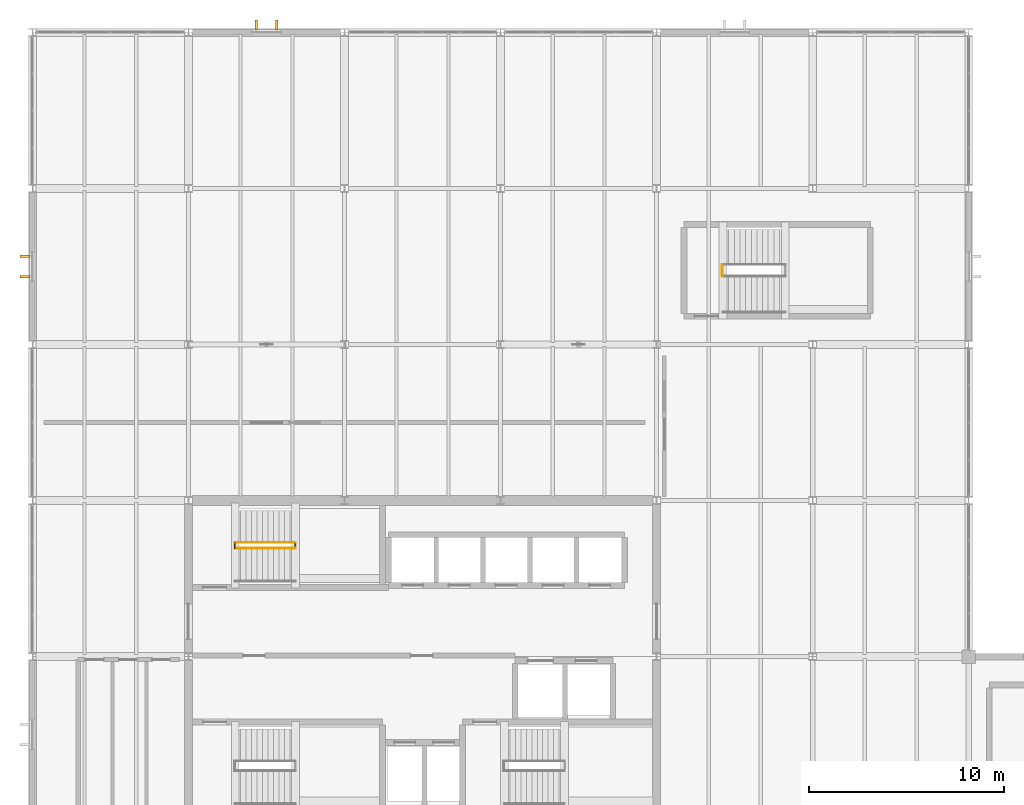
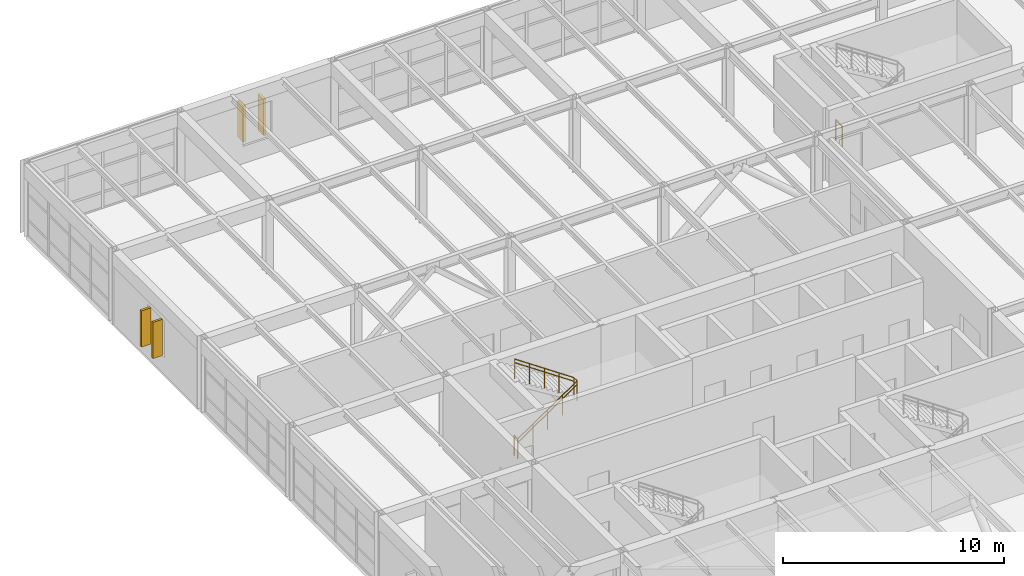
# One storey, part 45 of 48: 6 railings, 4 shading devices.
"""IFC4 building model written with IfcOpenShell, lengths in metres."""

import ifcopenshell
import ifcopenshell.guid

model = None  # the IFC model being written
_history = None  # IfcOwnerHistory: only IFC2X3 demands one
_inside = {}  # id of a spatial element -> (the spatial element, [elements in it])
_under = {}  # id of a project, library or spatial element -> (it, [spatial elements below it])
_declared = {}  # id of a project -> (the project, [libraries it declares])
_typed = {}  # id of a type object -> (the type object, [elements of that type])
_made_of = {}  # id of a material, layer set ... -> (it, [elements and type objects made of it])


def new_model(schema):
    """Start an empty IFC model of exactly this schema.

    Asked for "IFC4X3", IfcOpenShell would pick the latest addendum, in which some entities
    have other attributes; the version numbers below select the first issue.
    IFC2X3 requires an IfcOwnerHistory on every rooted entity: one is made here for all.
    """
    global model, _history
    if schema == "IFC4X3":
        model = ifcopenshell.file(schema_version=(4, 3, 0, 0))
    else:
        model = ifcopenshell.file(schema=schema)
    _inside.clear()
    _under.clear()
    _declared.clear()
    _typed.clear()
    _made_of.clear()
    _history = None
    if model.schema == "IFC2X3":
        org = make("IfcOrganization", Name="unknown")
        user = make(
            "IfcPersonAndOrganization",
            ThePerson=make("IfcPerson", FamilyName="unknown"),
            TheOrganization=org,
        )
        app = make(
            "IfcApplication",
            ApplicationDeveloper=org,
            Version="unknown",
            ApplicationFullName="unknown",
            ApplicationIdentifier="unknown",
        )
        _history = make(
            "IfcOwnerHistory",
            OwningUser=user,
            OwningApplication=app,
            ChangeAction="ADDED",
            CreationDate=0,
        )
    return model


def make(cls, **values):
    """One entity of the class cls with the attributes given. An attribute that is None is left unset."""
    return model.create_entity(
        cls, **{name: value for name, value in values.items() if value is not None}
    )


def rooted(cls, **values):
    """An entity with a GlobalId (a new one), such as an element, a storey or a relation."""
    return make(cls, GlobalId=ifcopenshell.guid.new(), OwnerHistory=_history, **values)


def si_unit(unit_type, name, prefix=None):
    """IfcSIUnit, for example si_unit("LENGTHUNIT", "METRE", prefix="MILLI")."""
    return make("IfcSIUnit", UnitType=unit_type, Prefix=prefix, Name=name)


def assignment(units):
    """IfcUnitAssignment: the units of a project."""
    return None if units is None else make("IfcUnitAssignment", Units=units)


def point(xyz):
    """IfcCartesianPoint."""
    return None if xyz is None else make("IfcCartesianPoint", Coordinates=xyz)


def direction(xyz):
    """IfcDirection."""
    return None if xyz is None else make("IfcDirection", DirectionRatios=xyz)


def frame(location, z_axis=None, x_axis=None):
    """IfcAxis2Placement3D, a coordinate frame: its origin and axes. An axis left out is left unset."""
    return make(
        "IfcAxis2Placement3D",
        Location=point(location),
        Axis=direction(z_axis),
        RefDirection=direction(x_axis),
    )


def frame_2d(location, x_axis=None):
    """IfcAxis2Placement2D, a coordinate frame in the plane: its origin and x axis."""
    return make(
        "IfcAxis2Placement2D", Location=point(location), RefDirection=direction(x_axis)
    )


def origin():
    """The frame at (0, 0, 0) with its axes left unset."""
    return frame((0.0, 0.0, 0.0))


def origin_2d():
    """The frame at (0, 0) in the plane with its x axis left unset."""
    return frame_2d((0.0, 0.0))


def place(relative_to, where):
    """IfcLocalPlacement: puts the frame where relative to a parent placement (None: the world)."""
    return make(
        "IfcLocalPlacement", PlacementRelTo=relative_to, RelativePlacement=where
    )


def context(
    kind, dimensions, precision=None, world=None, true_north=None, identifier=None
):
    """IfcGeometricRepresentationContext, for example the 3D "Model" context."""
    return make(
        "IfcGeometricRepresentationContext",
        ContextIdentifier=identifier,
        ContextType=kind,
        CoordinateSpaceDimension=dimensions,
        Precision=precision,
        WorldCoordinateSystem=world,
        TrueNorth=true_north,
    )


def subcontext(parent, identifier, kind, view, scale=None):
    """IfcGeometricRepresentationSubContext, for example "Body" below "Model"."""
    return make(
        "IfcGeometricRepresentationSubContext",
        ContextIdentifier=identifier,
        ContextType=kind,
        ParentContext=parent,
        TargetScale=scale,
        TargetView=view,
    )


def project(units=None, contexts=None):
    """IfcProject with its units and contexts."""
    return rooted(
        "IfcProject",
        Name="project",
        RepresentationContexts=contexts,
        UnitsInContext=assignment(units),
    )


def spatial(cls, under=None, at=None, **own):
    """A site, building, storey or space (cls), placed at a placement, below another one or the project."""
    s = rooted(cls, ObjectPlacement=at, **own)
    if under is not None:
        _under.setdefault(under.id(), (under, []))[1].append(s)
    return s


def profile(cls, at=None, kind="AREA", **sizes):
    """A parametric profile (cls). Its sizes go by their IFC names, for example OverallWidth=200.0."""
    return make(cls, ProfileType=kind, Position=at, **sizes)


def rectangle(**sizes):
    """IfcRectangleProfileDef."""
    return profile("IfcRectangleProfileDef", **sizes)


def circle(**sizes):
    """IfcCircleProfileDef."""
    return profile("IfcCircleProfileDef", **sizes)


def extrude(swept, where, along, depth):
    """IfcExtrudedAreaSolid: the profile swept, set in the frame where, extruded along a direction by depth."""
    return make(
        "IfcExtrudedAreaSolid",
        SweptArea=swept,
        Position=where,
        ExtrudedDirection=direction(along),
        Depth=depth,
    )


def shape(context_of_items, identifier, shape_type, items):
    """IfcShapeRepresentation: the items that make up one representation, for example the "Body"."""
    return make(
        "IfcShapeRepresentation",
        ContextOfItems=context_of_items,
        RepresentationIdentifier=identifier,
        RepresentationType=shape_type,
        Items=items,
    )


def material(Name=None, Category=None):
    """IfcMaterial."""
    return make("IfcMaterial", Name=Name, Category=Category)


def made_of(thing, what):
    """Note that an element or type object is made of a material, layer set ...; save() writes the relation."""
    if what is not None:
        _made_of.setdefault(what.id(), (what, []))[1].append(thing)
    return thing


def type_object(cls, material=None, **own):
    """A type object (cls), such as IfcWallType, which elements share."""
    return made_of(rooted(cls, **own), material)


def element(
    cls,
    number,
    at=None,
    inside=None,
    cuts=None,
    type_object=None,
    material=None,
    context=None,
    identifier="Body",
    shape_type=None,
    held_by="IfcProductDefinitionShape",
    body=None,
    shapes=None,
    **own,
):
    """One element of the class cls, such as IfcWall. Its Tag is "e" and its number.

    at: its placement. inside: the storey or other place that contains it. cuts: it is an
    opening in that element (IfcRelVoidsElement). A single representation is given by context,
    identifier, shape_type and body (its items); several are given by shapes. held_by: the class
    of the entity that holds the representations. save() writes the other relations.
    """
    e = rooted(cls, Tag="e%d" % number, ObjectPlacement=at, **own)
    if body is not None:
        shapes = [shape(context, identifier, shape_type, body)]
    if shapes is not None:
        e.Representation = make(held_by, Representations=shapes)
    if inside is not None:
        _inside.setdefault(inside.id(), (inside, []))[1].append(e)
    if cuts is not None:
        rooted(
            "IfcRelVoidsElement", RelatingBuildingElement=cuts, RelatedOpeningElement=e
        )
    if type_object is not None:
        _typed.setdefault(type_object.id(), (type_object, []))[1].append(e)
    return made_of(e, material)


def aggregate(whole, parts):
    """IfcRelAggregates: a whole, such as a stair, and the parts it consists of."""
    return rooted("IfcRelAggregates", RelatingObject=whole, RelatedObjects=parts)


def save(model, path):
    """Write the relations noted so far, then the file.

    IfcRelAggregates (storeys below a building ...), IfcRelContainedInSpatialStructure (elements
    in a storey), IfcRelDefinesByType, IfcRelAssociatesMaterial and IfcRelDeclares: one each for
    every whole, place, type object, material and project.
    """
    for whole, parts in _under.values():
        aggregate(whole, parts)
    for where, things in _inside.values():
        rooted(
            "IfcRelContainedInSpatialStructure",
            RelatedElements=things,
            RelatingStructure=where,
        )
    for kind, things in _typed.values():
        rooted("IfcRelDefinesByType", RelatedObjects=things, RelatingType=kind)
    for what, things in _made_of.values():
        rooted("IfcRelAssociatesMaterial", RelatedObjects=things, RelatingMaterial=what)
    for by, libraries in _declared.values():
        rooted("IfcRelDeclares", RelatingContext=by, RelatedDefinitions=libraries)
    model.write(path)


model = new_model("IFC4")

# Units and contexts
model_context = context("Model", 3, precision=1e-05, world=origin(), true_north=direction((0.0, 1.0)))
body_context = subcontext(model_context, "Body", "Model", "MODEL_VIEW")
ifc_project = project(units=[si_unit("LENGTHUNIT", "METRE"), si_unit("AREAUNIT", "SQUARE_METRE"), si_unit("VOLUMEUNIT", "CUBIC_METRE"), si_unit("PLANEANGLEUNIT", "RADIAN"), si_unit("MASSUNIT", "GRAM", prefix="KILO")], contexts=[model_context])

# Site, building, storey
site_placement = place(None, origin())
site = spatial("IfcSite", under=ifc_project, at=site_placement, CompositionType="ELEMENT")
building_placement = place(site_placement, origin())
building = spatial("IfcBuilding", under=site, at=building_placement, Name="Varnela Railside Interchange", CompositionType="ELEMENT")
storey_placement = place(building_placement, frame((0.0, 0.0, 11.199951171875)))
storey = spatial("IfcBuildingStorey", under=building, at=storey_placement, Name="L02", CompositionType="ELEMENT", Elevation=11.199951171875)

# Shading devices
ifc_material_1 = material(Name="Concrete C40 precast", Category="concrete")
shading_device_type = type_object("IfcShadingDeviceType", Name="Paulista Vertical Brise-Soleil BS-01", PredefinedType="USERDEFINED", material=ifc_material_1)
for number, where, z_axis, x_axis, name in (
    (1, (3.614990234375, 81.47509765625, 0.949951171875), (0.0, 0.0, 1.0), (-1.0, 0.0, 0.0), "Paulista Vertical Brise-Soleil BS-01 (L02)"),
    (2, (3.614990234375, 82.52490234375, 0.949951171875), (0.0, 0.0, 1.0), (-1.0, 0.0, 0.0), "Paulista Vertical Brise-Soleil BS-01 (L02)"),
    (3, (15.47509765625, 94.385009765625, 0.949951171875), (0.0, 0.0, 1.0), (0.0, 1.0, 0.0), "Paulista Vertical Brise-Soleil BS-01 (L02)"),
    (4, (16.52490234375, 94.385009765625, 0.949951171875), (0.0, 0.0, 1.0), (0.0, 1.0, 0.0), "Paulista Vertical Brise-Soleil BS-01 (L02)"),
):
    element("IfcShadingDevice", number, at=place(storey_placement, frame(where, z_axis=z_axis, x_axis=x_axis)), inside=storey, type_object=shading_device_type, Name=name, ObjectType="FIN", PredefinedType="USERDEFINED", context=body_context, shape_type="SweptSolid", body=[
        extrude(rectangle(XDim=0.5, YDim=0.1201171875, at=origin_2d()), origin(), (0.0, 0.0, 1.0), 2.0),
    ])

# Railings
ifc_material_2 = material(Name="Steel AR 350 (350 MPa)", Category="steel")
railing_type_1 = type_object("IfcRailingType", Name="Stair & Ramp Pitch Handrail HR-01", PredefinedType="HANDRAIL", material=ifc_material_2)
railing_1_placement = place(storey_placement, frame((14.39990234375, 67.550048828125, 0.0)))
element("IfcRailing", 5, at=railing_1_placement, inside=storey, type_object=railing_type_1, Name="Stair Handrail ST-T3 Flight 1 (RL-0364)", PredefinedType="HANDRAIL", context=body_context, shape_type="SweptSolid", body=[
    extrude(circle(Radius=0.02392578125, at=origin_2d()), frame((0.0, 0.0, 0.89599609375), z_axis=(0.826221800596, 0.0, 0.563344953133), x_axis=(0.0, 1.0, 0.0)), (0.0, 0.0, 1.0), 3.72802734375),
    extrude(circle(Radius=0.02099609375, at=origin_2d()), origin(), (0.0, 0.0, 1.0), 0.871826171875),
    extrude(circle(Radius=0.02099609375, at=origin_2d()), frame((0.77001953125, 0.0, 0.52490234375)), (0.0, 0.0, 1.0), 0.871826171875),
    extrude(circle(Radius=0.02099609375, at=origin_2d()), frame((1.5400390625, 0.0, 1.050048828125)), (0.0, 0.0, 1.0), 0.871826171875),
    extrude(circle(Radius=0.02099609375, at=origin_2d()), frame((2.31005859375, 0.0, 1.5751953125)), (0.0, 0.0, 1.0), 0.871826171875),
    extrude(circle(Radius=0.02099609375, at=origin_2d()), frame((3.080078125, 0.0, 2.10009765625)), (0.0, 0.0, 1.0), 0.871826171875),
])
railing_2_placement = place(storey_placement, frame((17.47998046875, 67.85009765625, 2.10009765625)))
element("IfcRailing", 6, at=railing_2_placement, inside=storey, type_object=railing_type_1, Name="Stair Handrail ST-T3 Flight 2 (RL-0365)", PredefinedType="HANDRAIL", context=body_context, shape_type="SweptSolid", body=[
    extrude(circle(Radius=0.02392578125, at=origin_2d()), frame((0.0, 0.0, 0.89599609375), z_axis=(-0.826252282691, 0.0, 0.563300244406), x_axis=(0.0, -1.0, 0.0)), (0.0, 0.0, 1.0), 3.727783203125),
    extrude(circle(Radius=0.02099609375, at=origin_2d()), origin(), (0.0, 0.0, 1.0), 0.871826171875),
    extrude(circle(Radius=0.02099609375, at=origin_2d()), frame((-0.77001953125, 0.0, 0.52490234375)), (0.0, 0.0, 1.0), 0.871826171875),
    extrude(circle(Radius=0.02099609375, at=origin_2d()), frame((-1.5400390625, 0.0, 1.0498046875)), (0.0, 0.0, 1.0), 0.871826171875),
    extrude(circle(Radius=0.02099609375, at=origin_2d()), frame((-2.31005859375, 0.0, 1.574951171875)), (0.0, 0.0, 1.0), 0.871826171875),
    extrude(circle(Radius=0.02099609375, at=origin_2d()), frame((-3.080078125, 0.0, 2.099853515625)), (0.0, 0.0, 1.0), 0.871826171875),
])
railing_type_2 = type_object("IfcRailingType", Name="Stair Well & Landing Guard GR-02", PredefinedType="GUARDRAIL", material=ifc_material_2)
railing_3_placement = place(storey_placement, frame((14.3701171875, 67.550048828125, 0.0)))
element("IfcRailing", 7, at=railing_3_placement, inside=storey, type_object=railing_type_2, Name="Stair Well Slot Guard ST-T3 on L02 (RL-0349)", PredefinedType="GUARDRAIL", context=body_context, shape_type="SweptSolid", body=[
    extrude(circle(Radius=0.02392578125, at=origin_2d()), frame((0.0, 0.0, 1.09619140625), z_axis=(0.0, 1.0, 0.0), x_axis=(-1.0, 0.0, 0.0)), (0.0, 0.0, 1.0), 0.300048828125),
    extrude(circle(Radius=0.02099609375, at=origin_2d()), origin(), (0.0, 0.0, 1.0), 1.072021484375),
    extrude(circle(Radius=0.02099609375, at=origin_2d()), frame((0.0, 0.300048828125, 0.0)), (0.0, 0.0, 1.0), 1.072021484375),
])
railing_4_placement = place(storey_placement, frame((14.39990234375, 67.550048828125, 0.0)))
element("IfcRailing", 8, at=railing_4_placement, inside=storey, type_object=railing_type_2, Name="Stair Guard ST-T3 Half-Landing (RL-0347)", PredefinedType="GUARDRAIL", context=body_context, shape_type="SweptSolid", body=[
    extrude(circle(Radius=0.02392578125, at=origin_2d()), frame((0.0, 0.0, 1.09619140625), z_axis=(0.826221800596, 0.0, 0.563344953133), x_axis=(0.0, 1.0, 0.0)), (0.0, 0.0, 1.0), 3.72802734375),
    extrude(circle(Radius=0.02392578125, at=origin_2d()), frame((3.080078125, 0.0, 3.1962890625), z_axis=(0.0, 1.0, 0.0), x_axis=(-1.0, 0.0, 0.0)), (0.0, 0.0, 1.0), 0.300048828125),
    extrude(circle(Radius=0.02099609375, at=origin_2d()), origin(), (0.0, 0.0, 1.0), 1.072021484375),
    extrude(circle(Radius=0.02099609375, at=origin_2d()), frame((0.77001953125, 0.0, 0.52490234375)), (0.0, 0.0, 1.0), 1.072021484375),
    extrude(circle(Radius=0.02099609375, at=origin_2d()), frame((1.5400390625, 0.0, 1.050048828125)), (0.0, 0.0, 1.0), 1.072021484375),
    extrude(circle(Radius=0.02099609375, at=origin_2d()), frame((2.31005859375, 0.0, 1.5751953125)), (0.0, 0.0, 1.0), 1.072021484375),
    extrude(circle(Radius=0.02099609375, at=origin_2d()), frame((3.080078125, 0.0, 2.10009765625)), (0.0, 0.0, 1.0), 1.072021484375),
    extrude(circle(Radius=0.02099609375, at=origin_2d()), frame((3.080078125, 0.300048828125, 2.10009765625)), (0.0, 0.0, 1.0), 1.072021484375),
])
railing_5_placement = place(storey_placement, frame((17.47998046875, 67.85009765625, 2.10009765625)))
element("IfcRailing", 9, at=railing_5_placement, inside=storey, type_object=railing_type_2, Name="Stair Guard ST-T3 Upper Flight (RL-0348)", PredefinedType="GUARDRAIL", context=body_context, shape_type="SweptSolid", body=[
    extrude(circle(Radius=0.02392578125, at=origin_2d()), frame((0.0, 0.0, 1.09619140625), z_axis=(-0.826252282691, 0.0, 0.563300244406), x_axis=(0.0, -1.0, 0.0)), (0.0, 0.0, 1.0), 3.727783203125),
    extrude(circle(Radius=0.02099609375, at=origin_2d()), origin(), (0.0, 0.0, 1.0), 1.072021484375),
    extrude(circle(Radius=0.02099609375, at=origin_2d()), frame((-0.77001953125, 0.0, 0.52490234375)), (0.0, 0.0, 1.0), 1.072021484375),
    extrude(circle(Radius=0.02099609375, at=origin_2d()), frame((-1.5400390625, 0.0, 1.0498046875)), (0.0, 0.0, 1.0), 1.072021484375),
    extrude(circle(Radius=0.02099609375, at=origin_2d()), frame((-2.31005859375, 0.0, 1.574951171875)), (0.0, 0.0, 1.0), 1.072021484375),
    extrude(circle(Radius=0.02099609375, at=origin_2d()), frame((-3.080078125, 0.0, 2.099853515625)), (0.0, 0.0, 1.0), 1.072021484375),
])
railing_6_placement = place(storey_placement, frame((39.3701171875, 81.5, 0.0)))
element("IfcRailing", 10, at=railing_6_placement, inside=storey, type_object=railing_type_2, Name="Stair Well Slot Guard ST-W1 on L02 (RL-0352)", PredefinedType="GUARDRAIL", context=body_context, shape_type="SweptSolid", body=[
    extrude(circle(Radius=0.02392578125, at=origin_2d()), frame((0.0, 0.0, 1.09619140625), z_axis=(0.0, 1.0, 0.0), x_axis=(-1.0, 0.0, 0.0)), (0.0, 0.0, 1.0), 0.60009765625),
    extrude(circle(Radius=0.02099609375, at=origin_2d()), origin(), (0.0, 0.0, 1.0), 1.072021484375),
    extrude(circle(Radius=0.02099609375, at=origin_2d()), frame((0.0, 0.60009765625, 0.0)), (0.0, 0.0, 1.0), 1.072021484375),
])

save(model, "model.ifc")
